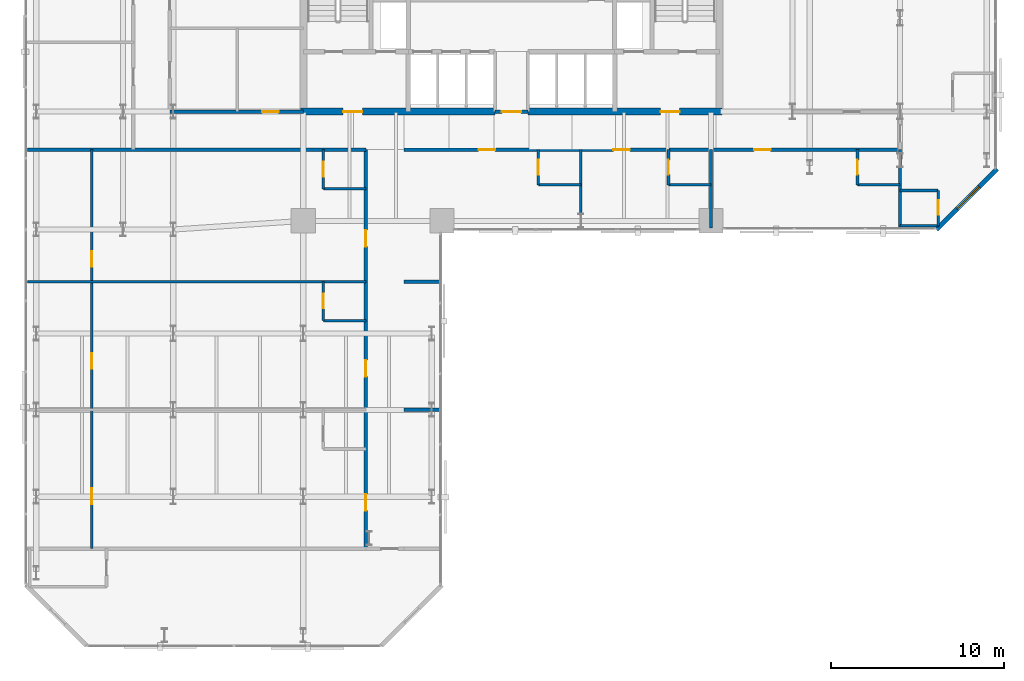
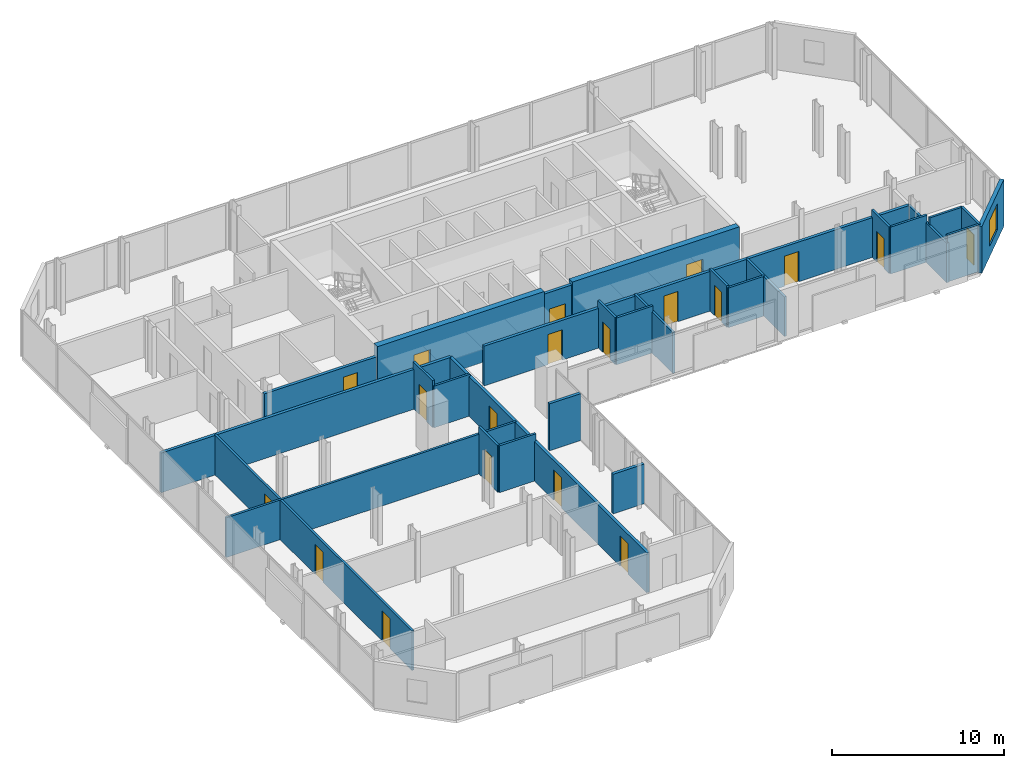
# One storey, part 29 of 33: 28 walls, 19 doors, 1 window, 20 openings.
"""IFC4 building model written with IfcOpenShell, lengths in metres."""

from ifc_helpers import new_model, si_unit, direction, frame, frame_2d, origin, place, context, subcontext, project, spatial, rectangle, extrude, material, layer, layer_set, type_object, element, fill, save


model = new_model("IFC4")

# Units and contexts
model_context = context("Model", 3, precision=1e-05, world=origin(), true_north=direction((0.0, 1.0)))
body_context = subcontext(model_context, "Body", "Model", "MODEL_VIEW")
ifc_project = project(units=[si_unit("LENGTHUNIT", "METRE"), si_unit("AREAUNIT", "SQUARE_METRE"), si_unit("VOLUMEUNIT", "CUBIC_METRE"), si_unit("PLANEANGLEUNIT", "RADIAN"), si_unit("MASSUNIT", "GRAM", prefix="KILO")], contexts=[model_context])

# Site, building, storey
site_placement = place(None, origin())
site = spatial("IfcSite", under=ifc_project, at=site_placement, CompositionType="ELEMENT")
building_placement = place(site_placement, origin())
building = spatial("IfcBuilding", under=site, at=building_placement, Name="Catumbela Crestline Tower", CompositionType="ELEMENT")
storey_placement = place(building_placement, frame((0.0, 0.0, 54.6)))
storey = spatial("IfcBuildingStorey", under=building, at=storey_placement, Name="L13", CompositionType="ELEMENT", Elevation=54.6)

# Wall, opening, door
ifc_material_1 = material(Name="Concrete C60/75", Category="concrete")
ifc_layer_1 = layer(ifc_material_1, 0.4, Name="Concrete C60/75")
ifc_layer_set_1 = layer_set([ifc_layer_1], Name="Concrete C60/75")
wall_type_1 = type_object("IfcWallType", Name="CW-400A", PredefinedType="SHEAR", material=ifc_layer_set_1)
wall_1_placement = place(storey_placement, frame((15.85, 30.8, 0.0), z_axis=(0.0, 0.0, 1.0), x_axis=(1.0, 0.0, 0.0)))
wall_1 = element("IfcWall", 1, at=wall_1_placement, inside=storey, type_object=wall_type_1, Name="L13 Structural Core Shear Wall SW", PredefinedType="SHEAR", context=body_context, shape_type="SweptSolid", body=[
    extrude(rectangle(XDim=11.2, YDim=0.4, at=frame_2d((5.6, 0.0))), origin(), (0.0, 0.0, 1.0), 3.6),
])
opening_1_placement = place(wall_1_placement, frame((2.45, 0.0, 0.0)))
opening_1 = element("IfcOpeningElement", 2, at=opening_1_placement, cuts=wall_1, Name="Opening DF9-110", PredefinedType="OPENING", context=body_context, shape_type="SweptSolid", body=[
    extrude(rectangle(XDim=1.1, YDim=2.15, at=frame_2d((0.55, 1.075))), frame((0.0, 0.21, 0.0), z_axis=(0.0, -1.0, 0.0), x_axis=(1.0, 0.0, 0.0)), (0.0, 0.0, 1.0), 0.42),
])
ifc_material_2 = material(Name="Stainless steel EN 1.4401", Category="steel")
door_type_1 = type_object("IfcDoorType", Name="DF9-110", OperationType="NOTDEFINED", PredefinedType="DOOR", material=ifc_material_2)
door_1_placement = place(opening_1_placement, origin())
door_1 = element("IfcDoor", 3, at=door_1_placement, inside=storey, type_object=door_type_1, Name="L13 Interior Door DR-L13-FFW-S", OperationType="SINGLE_SWING_LEFT", OverallHeight=2.15, OverallWidth=1.1, PredefinedType="DOOR", context=body_context, shape_type="SweptSolid", body=[
    extrude(rectangle(XDim=1.1, YDim=2.15, at=frame_2d((0.55, 1.075))), frame((0.0, 0.025, 0.0), z_axis=(0.0, -1.0, 0.0), x_axis=(1.0, 0.0, 0.0)), (0.0, 0.0, 1.0), 0.05),
])
fill(opening_1, door_1)

wall_2_placement = place(storey_placement, frame((28.95, 30.8, 0.0), z_axis=(0.0, 0.0, 1.0), x_axis=(1.0, 0.0, 0.0)))
wall_2 = element("IfcWall", 4, at=wall_2_placement, inside=storey, type_object=wall_type_1, Name="L13 Structural Core Shear Wall SE", PredefinedType="SHEAR", context=body_context, shape_type="SweptSolid", body=[
    extrude(rectangle(XDim=11.2, YDim=0.4, at=frame_2d((5.6, 0.0))), origin(), (0.0, 0.0, 1.0), 3.6),
])
opening_2_placement = place(wall_2_placement, frame((7.65, 0.0, 0.0)))
opening_2 = element("IfcOpeningElement", 5, at=opening_2_placement, cuts=wall_2, Name="Opening DF9-110", PredefinedType="OPENING", context=body_context, shape_type="SweptSolid", body=[
    extrude(rectangle(XDim=1.1, YDim=2.15, at=frame_2d((0.55, 1.075))), frame((0.0, 0.21, 0.0), z_axis=(0.0, -1.0, 0.0), x_axis=(1.0, 0.0, 0.0)), (0.0, 0.0, 1.0), 0.42),
])
door_2_placement = place(opening_2_placement, origin())
door_2 = element("IfcDoor", 6, at=door_2_placement, inside=storey, type_object=door_type_1, Name="L13 Interior Door DR-L13-FFE-S", OperationType="SINGLE_SWING_RIGHT", OverallHeight=2.15, OverallWidth=1.1, PredefinedType="DOOR", context=body_context, shape_type="SweptSolid", body=[
    extrude(rectangle(XDim=1.1, YDim=2.15, at=frame_2d((0.55, 1.075))), frame((0.0, 0.025, 0.0), z_axis=(0.0, -1.0, 0.0), x_axis=(1.0, 0.0, 0.0)), (0.0, 0.0, 1.0), 0.05),
])
fill(opening_2, door_2)

ifc_material_3 = material(Name="Acoustic gypsum and mineral-wool partition")
ifc_layer_2 = layer(ifc_material_3, 0.2, Name="Acoustic gypsum and mineral-wool partition")
ifc_layer_set_2 = layer_set([ifc_layer_2], Name="Acoustic gypsum and mineral-wool partition")
wall_type_2 = type_object("IfcWallType", Name="WC-200", PredefinedType="PARTITIONING", material=ifc_layer_set_2)
wall_3_placement = place(storey_placement, frame((27.05, 30.8, 0.0), z_axis=(0.0, 0.0, 1.0), x_axis=(1.0, 0.0, 0.0)))
wall_3 = element("IfcWall", 7, at=wall_3_placement, inside=storey, type_object=wall_type_2, Name="L13 Interior Partition PW-L13-CLOBS", PredefinedType="PARTITIONING", context=body_context, shape_type="SweptSolid", body=[
    extrude(rectangle(XDim=1.9, YDim=0.2, at=frame_2d((0.95, 0.0))), origin(), (0.0, 0.0, 1.0), 3.33),
])
opening_3_placement = place(wall_3_placement, frame((0.4, 0.0, 0.0)))
opening_3 = element("IfcOpeningElement", 8, at=opening_3_placement, cuts=wall_3, Name="Opening DF9-110", PredefinedType="OPENING", context=body_context, shape_type="SweptSolid", body=[
    extrude(rectangle(XDim=1.1, YDim=2.15, at=frame_2d((0.55, 1.075))), frame((0.0, 0.11, 0.0), z_axis=(0.0, -1.0, 0.0), x_axis=(1.0, 0.0, 0.0)), (0.0, 0.0, 1.0), 0.22),
])
door_3_placement = place(opening_3_placement, origin())
door_3 = element("IfcDoor", 9, at=door_3_placement, inside=storey, type_object=door_type_1, Name="L13 Interior Door DR-L13-CLOBS", OperationType="SINGLE_SWING_LEFT", OverallHeight=2.15, OverallWidth=1.1, PredefinedType="DOOR", context=body_context, shape_type="SweptSolid", body=[
    extrude(rectangle(XDim=1.1, YDim=2.15, at=frame_2d((0.55, 1.075))), frame((0.0, 0.025, 0.0), z_axis=(0.0, -1.0, 0.0), x_axis=(1.0, 0.0, 0.0)), (0.0, 0.0, 1.0), 0.05),
])
fill(opening_3, door_3)

# Wall
wall_4_placement = place(storey_placement, frame((0.1, 28.6, 0.0), z_axis=(0.0, 0.0, 1.0), x_axis=(1.0, 0.0, 0.0)))
element("IfcWall", 10, at=wall_4_placement, inside=storey, type_object=wall_type_2, Name="L13 Interior Partition PW-L13-CWGL-N", PredefinedType="PARTITIONING", context=body_context, shape_type="SweptSolid", body=[
    extrude(rectangle(XDim=19.5, YDim=0.2, at=frame_2d((9.75, 0.0))), origin(), (0.0, 0.0, 1.0), 2.82),
])

# Wall, openings, doors
wall_5_placement = place(storey_placement, frame((21.8, 28.6, 0.0), z_axis=(0.0, 0.0, 1.0), x_axis=(1.0, 0.0, 0.0)))
wall_5 = element("IfcWall", 11, at=wall_5_placement, inside=storey, type_object=wall_type_2, Name="L13 Interior Partition PW-L13-CWGR-N", PredefinedType="PARTITIONING", context=body_context, shape_type="SweptSolid", body=[
    extrude(rectangle(XDim=28.6, YDim=0.2, at=frame_2d((14.3, 0.0))), origin(), (0.0, 0.0, 1.0), 2.82),
])
opening_4_placement = place(wall_5_placement, frame((4.3, 0.0, 0.0)))
opening_4 = element("IfcOpeningElement", 12, at=opening_4_placement, cuts=wall_5, Name="Opening DF6-095", PredefinedType="OPENING", context=body_context, shape_type="SweptSolid", body=[
    extrude(rectangle(XDim=0.95, YDim=2.15, at=frame_2d((0.475, 1.075))), frame((0.0, 0.11, 0.0), z_axis=(0.0, -1.0, 0.0), x_axis=(1.0, 0.0, 0.0)), (0.0, 0.0, 1.0), 0.22),
])
opening_5_placement = place(wall_5_placement, frame((12.075, 0.0, 0.0)))
opening_5 = element("IfcOpeningElement", 13, at=opening_5_placement, cuts=wall_5, Name="Opening DF6-095", PredefinedType="OPENING", context=body_context, shape_type="SweptSolid", body=[
    extrude(rectangle(XDim=0.95, YDim=2.15, at=frame_2d((0.475, 1.075))), frame((0.0, 0.11, 0.0), z_axis=(0.0, -1.0, 0.0), x_axis=(1.0, 0.0, 0.0)), (0.0, 0.0, 1.0), 0.22),
])
opening_6_placement = place(wall_5_placement, frame((20.1859, 0.0, 0.0)))
opening_6 = element("IfcOpeningElement", 14, at=opening_6_placement, cuts=wall_5, Name="Opening DF6-095", PredefinedType="OPENING", context=body_context, shape_type="SweptSolid", body=[
    extrude(rectangle(XDim=0.95, YDim=2.15, at=frame_2d((0.475, 1.075))), frame((0.0, 0.11, 0.0), z_axis=(0.0, -1.0, 0.0), x_axis=(1.0, 0.0, 0.0)), (0.0, 0.0, 1.0), 0.22),
])
ifc_material_4 = material(Name="Aluminium alloy AW-6060-T66", Category="aluminium")
door_type_2 = type_object("IfcDoorType", Name="DF6-095", OperationType="NOTDEFINED", PredefinedType="DOOR", material=ifc_material_4)
door_4_placement = place(opening_4_placement, origin())
door_4 = element("IfcDoor", 15, at=door_4_placement, inside=storey, type_object=door_type_2, Name="L13 Interior Door DR-L13-K1-ENT", OperationType="SINGLE_SWING_LEFT", OverallHeight=2.15, OverallWidth=0.95, PredefinedType="DOOR", context=body_context, shape_type="SweptSolid", body=[
    extrude(rectangle(XDim=0.95, YDim=2.15, at=frame_2d((0.475, 1.075))), frame((0.0, 0.025, 0.0), z_axis=(0.0, -1.0, 0.0), x_axis=(1.0, 0.0, 0.0)), (0.0, 0.0, 1.0), 0.05),
])
fill(opening_4, door_4)
door_5_placement = place(opening_5_placement, origin())
door_5 = element("IfcDoor", 16, at=door_5_placement, inside=storey, type_object=door_type_2, Name="L13 Interior Door DR-L13-K2-ENT", OperationType="SINGLE_SWING_RIGHT", OverallHeight=2.15, OverallWidth=0.95, PredefinedType="DOOR", context=body_context, shape_type="SweptSolid", body=[
    extrude(rectangle(XDim=0.95, YDim=2.15, at=frame_2d((0.475, 1.075))), frame((0.0, 0.025, 0.0), z_axis=(0.0, -1.0, 0.0), x_axis=(1.0, 0.0, 0.0)), (0.0, 0.0, 1.0), 0.05),
])
fill(opening_5, door_5)
door_6_placement = place(opening_6_placement, origin())
door_6 = element("IfcDoor", 17, at=door_6_placement, inside=storey, type_object=door_type_2, Name="L13 Interior Door DR-L13-K3-ENT", OperationType="SINGLE_SWING_LEFT", OverallHeight=2.15, OverallWidth=0.95, PredefinedType="DOOR", context=body_context, shape_type="SweptSolid", body=[
    extrude(rectangle(XDim=0.95, YDim=2.15, at=frame_2d((0.475, 1.075))), frame((0.0, 0.025, 0.0), z_axis=(0.0, -1.0, 0.0), x_axis=(1.0, 0.0, 0.0)), (0.0, 0.0, 1.0), 0.05),
])
fill(opening_6, door_6)

# Wall, opening, door
wall_6_placement = place(storey_placement, frame((8.3, 30.8, 0.0), z_axis=(0.0, 0.0, 1.0), x_axis=(1.0, 0.0, 0.0)))
wall_6 = element("IfcWall", 18, at=wall_6_placement, inside=storey, type_object=wall_type_2, Name="L13 Interior Partition PW-L13-HK-S", PredefinedType="PARTITIONING", context=body_context, shape_type="SweptSolid", body=[
    extrude(rectangle(XDim=7.7, YDim=0.2, at=frame_2d((3.85, 0.0))), origin(), (0.0, 0.0, 1.0), 2.82),
])
opening_7_placement = place(wall_6_placement, frame((5.325, 0.0, 0.0)))
opening_7 = element("IfcOpeningElement", 19, at=opening_7_placement, cuts=wall_6, Name="Opening DF6-095", PredefinedType="OPENING", context=body_context, shape_type="SweptSolid", body=[
    extrude(rectangle(XDim=0.95, YDim=2.15, at=frame_2d((0.475, 1.075))), frame((0.0, 0.11, 0.0), z_axis=(0.0, -1.0, 0.0), x_axis=(1.0, 0.0, 0.0)), (0.0, 0.0, 1.0), 0.22),
])
door_7_placement = place(opening_7_placement, origin())
door_7 = element("IfcDoor", 20, at=door_7_placement, inside=storey, type_object=door_type_2, Name="L13 Interior Door DR-L13-HKP", OperationType="SINGLE_SWING_LEFT", OverallHeight=2.15, OverallWidth=0.95, PredefinedType="DOOR", context=body_context, shape_type="SweptSolid", body=[
    extrude(rectangle(XDim=0.95, YDim=2.15, at=frame_2d((0.475, 1.075))), frame((0.0, 0.025, 0.0), z_axis=(0.0, -1.0, 0.0), x_axis=(1.0, 0.0, 0.0)), (0.0, 0.0, 1.0), 0.05),
])
fill(opening_7, door_7)

# Wall, openings, doors
wall_7_placement = place(storey_placement, frame((19.6, 5.6, 0.0), z_axis=(0.0, 0.0, 1.0), x_axis=(0.0, 1.0, 0.0)))
wall_7 = element("IfcWall", 21, at=wall_7_placement, inside=storey, type_object=wall_type_2, Name="L13 Interior Partition PW-L13-WL1-ENT", PredefinedType="PARTITIONING", context=body_context, shape_type="SweptSolid", body=[
    extrude(rectangle(XDim=23.0, YDim=0.2, at=frame_2d((11.5, 0.0))), origin(), (0.0, 0.0, 1.0), 2.82),
])
opening_8_placement = place(wall_7_placement, frame((2.19, 0.0, 0.0)))
opening_8 = element("IfcOpeningElement", 22, at=opening_8_placement, cuts=wall_7, Name="Opening DF6-095", PredefinedType="OPENING", context=body_context, shape_type="SweptSolid", body=[
    extrude(rectangle(XDim=0.95, YDim=2.15, at=frame_2d((0.475, 1.075))), frame((0.0, 0.11, 0.0), z_axis=(0.0, -1.0, 0.0), x_axis=(1.0, 0.0, 0.0)), (0.0, 0.0, 1.0), 0.22),
])
opening_9_placement = place(wall_7_placement, frame((9.92, 0.0, 0.0)))
opening_9 = element("IfcOpeningElement", 23, at=opening_9_placement, cuts=wall_7, Name="Opening DF6-095", PredefinedType="OPENING", context=body_context, shape_type="SweptSolid", body=[
    extrude(rectangle(XDim=0.95, YDim=2.15, at=frame_2d((0.475, 1.075))), frame((0.0, 0.11, 0.0), z_axis=(0.0, -1.0, 0.0), x_axis=(1.0, 0.0, 0.0)), (0.0, 0.0, 1.0), 0.22),
])
opening_10_placement = place(wall_7_placement, frame((17.41, 0.0, 0.0)))
opening_10 = element("IfcOpeningElement", 24, at=opening_10_placement, cuts=wall_7, Name="Opening DF6-095", PredefinedType="OPENING", context=body_context, shape_type="SweptSolid", body=[
    extrude(rectangle(XDim=0.95, YDim=2.15, at=frame_2d((0.475, 1.075))), frame((0.0, 0.11, 0.0), z_axis=(0.0, -1.0, 0.0), x_axis=(1.0, 0.0, 0.0)), (0.0, 0.0, 1.0), 0.22),
])
door_8_placement = place(opening_8_placement, origin())
door_8 = element("IfcDoor", 25, at=door_8_placement, inside=storey, type_object=door_type_2, Name="L13 Interior Door DR-L13-WL1-ENT", OperationType="SINGLE_SWING_LEFT", OverallHeight=2.15, OverallWidth=0.95, PredefinedType="DOOR", context=body_context, shape_type="SweptSolid", body=[
    extrude(rectangle(XDim=0.95, YDim=2.15, at=frame_2d((0.475, 1.075))), frame((0.0, 0.025, 0.0), z_axis=(0.0, -1.0, 0.0), x_axis=(1.0, 0.0, 0.0)), (0.0, 0.0, 1.0), 0.05),
])
fill(opening_8, door_8)
door_9_placement = place(opening_9_placement, origin())
door_9 = element("IfcDoor", 26, at=door_9_placement, inside=storey, type_object=door_type_2, Name="L13 Interior Door DR-L13-WL2-ENT", OperationType="SINGLE_SWING_RIGHT", OverallHeight=2.15, OverallWidth=0.95, PredefinedType="DOOR", context=body_context, shape_type="SweptSolid", body=[
    extrude(rectangle(XDim=0.95, YDim=2.15, at=frame_2d((0.475, 1.075))), frame((0.0, 0.025, 0.0), z_axis=(0.0, -1.0, 0.0), x_axis=(1.0, 0.0, 0.0)), (0.0, 0.0, 1.0), 0.05),
])
fill(opening_9, door_9)
door_10_placement = place(opening_10_placement, origin())
door_10 = element("IfcDoor", 27, at=door_10_placement, inside=storey, type_object=door_type_2, Name="L13 Interior Door DR-L13-WL3-ENT", OperationType="SINGLE_SWING_LEFT", OverallHeight=2.15, OverallWidth=0.95, PredefinedType="DOOR", context=body_context, shape_type="SweptSolid", body=[
    extrude(rectangle(XDim=0.95, YDim=2.15, at=frame_2d((0.475, 1.075))), frame((0.0, 0.025, 0.0), z_axis=(0.0, -1.0, 0.0), x_axis=(1.0, 0.0, 0.0)), (0.0, 0.0, 1.0), 0.05),
])
fill(opening_10, door_10)

# Wall, opening, window
ifc_material_5 = material(Name="Angolan grey-ochre granite", Category="masonry")
ifc_layer_3 = layer(ifc_material_5, 0.25, Name="Angolan grey-ochre granite")
ifc_layer_set_3 = layer_set([ifc_layer_3], Name="Angolan grey-ochre granite")
wall_type_3 = type_object("IfcWallType", Name="WE-250", PredefinedType="STANDARD", material=ifc_layer_set_3)
wall_8_placement = place(storey_placement, frame((52.5, 24.0, 0.0), z_axis=(0.0, 0.0, 1.0), x_axis=(0.707106781187, 0.707106781187, 0.0)))
wall_8 = element("IfcWall", 28, at=wall_8_placement, inside=storey, type_object=wall_type_3, Name="L13 Granite Punched Window Wall 4-1", PredefinedType="STANDARD", context=body_context, shape_type="SweptSolid", body=[
    extrude(rectangle(XDim=4.9497, YDim=0.25, at=frame_2d((2.4748, 0.0))), origin(), (0.0, 0.0, 1.0), 3.33),
])
opening_11_placement = place(wall_8_placement, frame((1.6851, 0.0, 0.75)))
opening_11 = element("IfcOpeningElement", 29, at=opening_11_placement, cuts=wall_8, Name="Opening WN-01", PredefinedType="OPENING", context=body_context, shape_type="SweptSolid", body=[
    extrude(rectangle(XDim=1.8, YDim=1.85, at=frame_2d((0.9, 0.925))), frame((0.0, 0.135, 0.0), z_axis=(0.0, -1.0, 0.0), x_axis=(1.0, 0.0, 0.0)), (0.0, 0.0, 1.0), 0.27),
])
ifc_material_6 = material(Name="Low-E laminated solar-control double glazing", Category="glass")
window_type = type_object("IfcWindowType", Name="WF-1800", PartitioningType="SINGLE_PANEL", PredefinedType="WINDOW", material=ifc_material_6)
window_placement = place(opening_11_placement, origin())
window = element("IfcWindow", 30, at=window_placement, inside=storey, type_object=window_type, Name="L13 Facade Vision Window 89", OverallHeight=1.85, OverallWidth=1.8, PartitioningType="SINGLE_PANEL", PredefinedType="WINDOW", context=body_context, shape_type="SweptSolid", body=[
    extrude(rectangle(XDim=1.8, YDim=1.85, at=frame_2d((0.9, 0.925))), frame((0.0, 0.03, 0.0), z_axis=(0.0, -1.0, 0.0), x_axis=(1.0, 0.0, 0.0)), (0.0, 0.0, 1.0), 0.06),
])
fill(opening_11, window)

# Wall
ifc_layer_4 = layer(ifc_material_3, 0.15, Name="Acoustic gypsum and mineral-wool partition")
ifc_layer_set_4 = layer_set([ifc_layer_4], Name="Acoustic gypsum and mineral-wool partition")
wall_type_4 = type_object("IfcWallType", Name="WP-150", PredefinedType="PARTITIONING", material=ifc_layer_set_4)
wall_9_placement = place(storey_placement, frame((29.55, 26.576, 0.0), z_axis=(0.0, 0.0, 1.0), x_axis=(1.0, 0.0, 0.0)))
element("IfcWall", 31, at=wall_9_placement, inside=storey, type_object=wall_type_4, Name="L13 Interior Partition PW-L13-K1-BHW", PredefinedType="PARTITIONING", context=body_context, shape_type="SweptSolid", body=[
    extrude(rectangle(XDim=2.45, YDim=0.15, at=frame_2d((1.225, 0.0))), origin(), (0.0, 0.0, 1.0), 3.33),
])

# Wall, opening, door
wall_10_placement = place(storey_placement, frame((29.55, 26.576, 0.0), z_axis=(0.0, 0.0, 1.0), x_axis=(0.0, 1.0, 0.0)))
wall_10 = element("IfcWall", 32, at=wall_10_placement, inside=storey, type_object=wall_type_4, Name="L13 Interior Partition PW-L13-K1-BWW", PredefinedType="PARTITIONING", context=body_context, shape_type="SweptSolid", body=[
    extrude(rectangle(XDim=2.024, YDim=0.15, at=frame_2d((1.012, 0.0))), origin(), (0.0, 0.0, 1.0), 3.33),
])
opening_12_placement = place(wall_10_placement, frame((0.587, 0.0, 0.0)))
opening_12 = element("IfcOpeningElement", 33, at=opening_12_placement, cuts=wall_10, Name="Opening DI-085", PredefinedType="OPENING", context=body_context, shape_type="SweptSolid", body=[
    extrude(rectangle(XDim=0.85, YDim=2.15, at=frame_2d((0.425, 1.075))), frame((0.0, 0.085, 0.0), z_axis=(0.0, -1.0, 0.0), x_axis=(1.0, 0.0, 0.0)), (0.0, 0.0, 1.0), 0.17),
])
door_type_3 = type_object("IfcDoorType", Name="DI-085", OperationType="NOTDEFINED", PredefinedType="DOOR", material=ifc_material_4)
door_11_placement = place(opening_12_placement, origin())
door_11 = element("IfcDoor", 34, at=door_11_placement, inside=storey, type_object=door_type_3, Name="L13 Interior Door DR-L13-K1-BTH", OperationType="SINGLE_SWING_RIGHT", OverallHeight=2.15, OverallWidth=0.85, PredefinedType="DOOR", context=body_context, shape_type="SweptSolid", body=[
    extrude(rectangle(XDim=0.85, YDim=2.15, at=frame_2d((0.425, 1.075))), frame((0.0, 0.025, 0.0), z_axis=(0.0, -1.0, 0.0), x_axis=(1.0, 0.0, 0.0)), (0.0, 0.0, 1.0), 0.05),
])
fill(opening_12, door_11)

# Walls
wall_11_placement = place(storey_placement, frame((32.0, 28.6, 0.0), z_axis=(0.0, 0.0, 1.0), x_axis=(0.0, -1.0, 0.0)))
element("IfcWall", 35, at=wall_11_placement, inside=storey, type_object=wall_type_4, Name="L13 Interior Partition PW-L13-K1-BCL-2", PredefinedType="PARTITIONING", context=body_context, shape_type="SweptSolid", body=[
    extrude(rectangle(XDim=4.5, YDim=0.15, at=frame_2d((2.25, 0.0))), origin(), (0.0, 0.0, 1.0), 2.93),
])
wall_12_placement = place(storey_placement, frame((37.05, 26.576, 0.0), z_axis=(0.0, 0.0, 1.0), x_axis=(1.0, 0.0, 0.0)))
element("IfcWall", 36, at=wall_12_placement, inside=storey, type_object=wall_type_4, Name="L13 Interior Partition PW-L13-K2-BHW", PredefinedType="PARTITIONING", context=body_context, shape_type="SweptSolid", body=[
    extrude(rectangle(XDim=2.45, YDim=0.15, at=frame_2d((1.225, 0.0))), origin(), (0.0, 0.0, 1.0), 2.82),
])

# Wall, opening, door
wall_13_placement = place(storey_placement, frame((37.05, 26.576, 0.0), z_axis=(0.0, 0.0, 1.0), x_axis=(0.0, 1.0, 0.0)))
wall_13 = element("IfcWall", 37, at=wall_13_placement, inside=storey, type_object=wall_type_4, Name="L13 Interior Partition PW-L13-K2-BWW", PredefinedType="PARTITIONING", context=body_context, shape_type="SweptSolid", body=[
    extrude(rectangle(XDim=2.024, YDim=0.15, at=frame_2d((1.012, 0.0))), origin(), (0.0, 0.0, 1.0), 2.96),
])
opening_13_placement = place(wall_13_placement, frame((0.587, 0.0, 0.0)))
opening_13 = element("IfcOpeningElement", 38, at=opening_13_placement, cuts=wall_13, Name="Opening DI-085", PredefinedType="OPENING", context=body_context, shape_type="SweptSolid", body=[
    extrude(rectangle(XDim=0.85, YDim=2.15, at=frame_2d((0.425, 1.075))), frame((0.0, 0.085, 0.0), z_axis=(0.0, -1.0, 0.0), x_axis=(1.0, 0.0, 0.0)), (0.0, 0.0, 1.0), 0.17),
])
door_12_placement = place(opening_13_placement, origin())
door_12 = element("IfcDoor", 39, at=door_12_placement, inside=storey, type_object=door_type_3, Name="L13 Interior Door DR-L13-K2-BTH", OperationType="SINGLE_SWING_RIGHT", OverallHeight=2.15, OverallWidth=0.85, PredefinedType="DOOR", context=body_context, shape_type="SweptSolid", body=[
    extrude(rectangle(XDim=0.85, YDim=2.15, at=frame_2d((0.425, 1.075))), frame((0.0, 0.025, 0.0), z_axis=(0.0, -1.0, 0.0), x_axis=(1.0, 0.0, 0.0)), (0.0, 0.0, 1.0), 0.05),
])
fill(opening_13, door_12)

# Walls
wall_14_placement = place(storey_placement, frame((39.5, 28.6, 0.0), z_axis=(0.0, 0.0, 1.0), x_axis=(0.0, -1.0, 0.0)))
element("IfcWall", 40, at=wall_14_placement, inside=storey, type_object=wall_type_4, Name="L13 Interior Partition PW-L13-K2-BCL-2", PredefinedType="PARTITIONING", context=body_context, shape_type="SweptSolid", body=[
    extrude(rectangle(XDim=4.5, YDim=0.15, at=frame_2d((2.25, 0.0))), origin(), (0.0, 0.0, 1.0), 2.82),
])
wall_15_placement = place(storey_placement, frame((47.95, 26.576, 0.0), z_axis=(0.0, 0.0, 1.0), x_axis=(1.0, 0.0, 0.0)))
element("IfcWall", 41, at=wall_15_placement, inside=storey, type_object=wall_type_4, Name="L13 Interior Partition PW-L13-K3-BHW", PredefinedType="PARTITIONING", context=body_context, shape_type="SweptSolid", body=[
    extrude(rectangle(XDim=2.45, YDim=0.15, at=frame_2d((1.225, 0.0))), origin(), (0.0, 0.0, 1.0), 3.33),
])

# Wall, opening, door
wall_16_placement = place(storey_placement, frame((47.95, 26.576, 0.0), z_axis=(0.0, 0.0, 1.0), x_axis=(0.0, 1.0, 0.0)))
wall_16 = element("IfcWall", 42, at=wall_16_placement, inside=storey, type_object=wall_type_4, Name="L13 Interior Partition PW-L13-K3-BWW", PredefinedType="PARTITIONING", context=body_context, shape_type="SweptSolid", body=[
    extrude(rectangle(XDim=2.024, YDim=0.15, at=frame_2d((1.012, 0.0))), origin(), (0.0, 0.0, 1.0), 3.33),
])
opening_14_placement = place(wall_16_placement, frame((0.587, 0.0, 0.0)))
opening_14 = element("IfcOpeningElement", 43, at=opening_14_placement, cuts=wall_16, Name="Opening DI-085", PredefinedType="OPENING", context=body_context, shape_type="SweptSolid", body=[
    extrude(rectangle(XDim=0.85, YDim=2.15, at=frame_2d((0.425, 1.075))), frame((0.0, 0.085, 0.0), z_axis=(0.0, -1.0, 0.0), x_axis=(1.0, 0.0, 0.0)), (0.0, 0.0, 1.0), 0.17),
])
door_13_placement = place(opening_14_placement, origin())
door_13 = element("IfcDoor", 44, at=door_13_placement, inside=storey, type_object=door_type_3, Name="L13 Interior Door DR-L13-K3-BTH", OperationType="SINGLE_SWING_RIGHT", OverallHeight=2.15, OverallWidth=0.85, PredefinedType="DOOR", context=body_context, shape_type="SweptSolid", body=[
    extrude(rectangle(XDim=0.85, YDim=2.15, at=frame_2d((0.425, 1.075))), frame((0.0, 0.025, 0.0), z_axis=(0.0, -1.0, 0.0), x_axis=(1.0, 0.0, 0.0)), (0.0, 0.0, 1.0), 0.05),
])
fill(opening_14, door_13)

# Walls
wall_17_placement = place(storey_placement, frame((50.4, 28.6, 0.0), z_axis=(0.0, 0.0, 1.0), x_axis=(0.0, -1.0, 0.0)))
element("IfcWall", 45, at=wall_17_placement, inside=storey, type_object=wall_type_4, Name="L13 Interior Partition PW-L13-K3-BCL-2", PredefinedType="PARTITIONING", context=body_context, shape_type="SweptSolid", body=[
    extrude(rectangle(XDim=4.5, YDim=0.15, at=frame_2d((2.25, 0.0))), origin(), (0.0, 0.0, 1.0), 2.82),
])
wall_18_placement = place(storey_placement, frame((50.4, 26.25, 0.0), z_axis=(0.0, 0.0, 1.0), x_axis=(1.0, 0.0, 0.0)))
element("IfcWall", 46, at=wall_18_placement, inside=storey, type_object=wall_type_4, Name="L13 Interior Partition PW-L13-NESE-BNW", PredefinedType="PARTITIONING", context=body_context, shape_type="SweptSolid", body=[
    extrude(rectangle(XDim=2.2, YDim=0.15, at=frame_2d((1.1, 0.0))), origin(), (0.0, 0.0, 1.0), 3.33),
])

# Wall, opening, door
wall_19_placement = place(storey_placement, frame((52.6, 24.2, 0.0), z_axis=(0.0, 0.0, 1.0), x_axis=(0.0, 1.0, 0.0)))
wall_19 = element("IfcWall", 47, at=wall_19_placement, inside=storey, type_object=wall_type_4, Name="L13 Interior Partition PW-L13-NESE-BEW", PredefinedType="PARTITIONING", context=body_context, shape_type="SweptSolid", body=[
    extrude(rectangle(XDim=2.05, YDim=0.15, at=frame_2d((1.025, 0.0))), origin(), (0.0, 0.0, 1.0), 3.33),
])
opening_15_placement = place(wall_19_placement, frame((0.6514, 0.0, 0.0)))
opening_15 = element("IfcOpeningElement", 48, at=opening_15_placement, cuts=wall_19, Name="Opening DI-085", PredefinedType="OPENING", context=body_context, shape_type="SweptSolid", body=[
    extrude(rectangle(XDim=0.85, YDim=2.15, at=frame_2d((0.425, 1.075))), frame((0.0, 0.085, 0.0), z_axis=(0.0, -1.0, 0.0), x_axis=(1.0, 0.0, 0.0)), (0.0, 0.0, 1.0), 0.17),
])
door_14_placement = place(opening_15_placement, origin())
door_14 = element("IfcDoor", 49, at=door_14_placement, inside=storey, type_object=door_type_3, Name="L13 Interior Door DR-L13-NESE-BTH", OperationType="SINGLE_SWING_LEFT", OverallHeight=2.15, OverallWidth=0.85, PredefinedType="DOOR", context=body_context, shape_type="SweptSolid", body=[
    extrude(rectangle(XDim=0.85, YDim=2.15, at=frame_2d((0.425, 1.075))), frame((0.0, 0.025, 0.0), z_axis=(0.0, -1.0, 0.0), x_axis=(1.0, 0.0, 0.0)), (0.0, 0.0, 1.0), 0.05),
])
fill(opening_15, door_14)

# Wall
wall_20_placement = place(storey_placement, frame((52.62, 24.22, 0.0), z_axis=(0.0, 0.0, 1.0), x_axis=(-1.0, 0.0, 0.0)))
element("IfcWall", 50, at=wall_20_placement, inside=storey, type_object=wall_type_4, Name="L13 Interior Partition PW-L13-NESE-BCL-3", PredefinedType="PARTITIONING", context=body_context, shape_type="SweptSolid", body=[
    extrude(rectangle(XDim=2.22, YDim=0.15, at=frame_2d((1.11, 0.0))), origin(), (0.0, 0.0, 1.0), 3.33),
])

# Wall, openings, doors
wall_21_placement = place(storey_placement, frame((3.8, 5.6, 0.0), z_axis=(0.0, 0.0, 1.0), x_axis=(0.0, 1.0, 0.0)))
wall_21 = element("IfcWall", 51, at=wall_21_placement, inside=storey, type_object=wall_type_4, Name="L13 Interior Partition PW-L13-WL1-SBD", PredefinedType="PARTITIONING", context=body_context, shape_type="SweptSolid", body=[
    extrude(rectangle(XDim=23.0, YDim=0.15, at=frame_2d((11.5, 0.0))), origin(), (0.0, 0.0, 1.0), 2.82),
])
opening_16_placement = place(wall_21_placement, frame((2.575, 0.0, 0.0)))
opening_16 = element("IfcOpeningElement", 52, at=opening_16_placement, cuts=wall_21, Name="Opening DI-090", PredefinedType="OPENING", context=body_context, shape_type="SweptSolid", body=[
    extrude(rectangle(XDim=0.9, YDim=2.15, at=frame_2d((0.45, 1.075))), frame((0.0, 0.085, 0.0), z_axis=(0.0, -1.0, 0.0), x_axis=(1.0, 0.0, 0.0)), (0.0, 0.0, 1.0), 0.17),
])
opening_17_placement = place(wall_21_placement, frame((10.365, 0.0, 0.0)))
opening_17 = element("IfcOpeningElement", 53, at=opening_17_placement, cuts=wall_21, Name="Opening DI-090", PredefinedType="OPENING", context=body_context, shape_type="SweptSolid", body=[
    extrude(rectangle(XDim=0.9, YDim=2.15, at=frame_2d((0.45, 1.075))), frame((0.0, 0.085, 0.0), z_axis=(0.0, -1.0, 0.0), x_axis=(1.0, 0.0, 0.0)), (0.0, 0.0, 1.0), 0.17),
])
opening_18_placement = place(wall_21_placement, frame((16.26, 0.0, 0.0)))
opening_18 = element("IfcOpeningElement", 54, at=opening_18_placement, cuts=wall_21, Name="Opening DI-090", PredefinedType="OPENING", context=body_context, shape_type="SweptSolid", body=[
    extrude(rectangle(XDim=0.9, YDim=2.15, at=frame_2d((0.45, 1.075))), frame((0.0, 0.085, 0.0), z_axis=(0.0, -1.0, 0.0), x_axis=(1.0, 0.0, 0.0)), (0.0, 0.0, 1.0), 0.17),
])
door_type_4 = type_object("IfcDoorType", Name="DI-090", OperationType="NOTDEFINED", PredefinedType="DOOR", material=ifc_material_4)
door_15_placement = place(opening_16_placement, origin())
door_15 = element("IfcDoor", 55, at=door_15_placement, inside=storey, type_object=door_type_4, Name="L13 Interior Door DR-L13-WL1-SBD", OperationType="SINGLE_SWING_LEFT", OverallHeight=2.15, OverallWidth=0.9, PredefinedType="DOOR", context=body_context, shape_type="SweptSolid", body=[
    extrude(rectangle(XDim=0.9, YDim=2.15, at=frame_2d((0.45, 1.075))), frame((0.0, 0.025, 0.0), z_axis=(0.0, -1.0, 0.0), x_axis=(1.0, 0.0, 0.0)), (0.0, 0.0, 1.0), 0.05),
])
fill(opening_16, door_15)
door_16_placement = place(opening_17_placement, origin())
door_16 = element("IfcDoor", 56, at=door_16_placement, inside=storey, type_object=door_type_4, Name="L13 Interior Door DR-L13-WL2-SBD", OperationType="SINGLE_SWING_LEFT", OverallHeight=2.15, OverallWidth=0.9, PredefinedType="DOOR", context=body_context, shape_type="SweptSolid", body=[
    extrude(rectangle(XDim=0.9, YDim=2.15, at=frame_2d((0.45, 1.075))), frame((0.0, 0.025, 0.0), z_axis=(0.0, -1.0, 0.0), x_axis=(1.0, 0.0, 0.0)), (0.0, 0.0, 1.0), 0.05),
])
fill(opening_17, door_16)
door_17_placement = place(opening_18_placement, origin())
door_17 = element("IfcDoor", 57, at=door_17_placement, inside=storey, type_object=door_type_4, Name="L13 Interior Door DR-L13-WL3-SBD", OperationType="SINGLE_SWING_LEFT", OverallHeight=2.15, OverallWidth=0.9, PredefinedType="DOOR", context=body_context, shape_type="SweptSolid", body=[
    extrude(rectangle(XDim=0.9, YDim=2.15, at=frame_2d((0.45, 1.075))), frame((0.0, 0.025, 0.0), z_axis=(0.0, -1.0, 0.0), x_axis=(1.0, 0.0, 0.0)), (0.0, 0.0, 1.0), 0.05),
])
fill(opening_18, door_17)

# Wall
wall_22_placement = place(storey_placement, frame((17.15, 18.75, 0.0), z_axis=(0.0, 0.0, 1.0), x_axis=(1.0, 0.0, 0.0)))
element("IfcWall", 58, at=wall_22_placement, inside=storey, type_object=wall_type_4, Name="L13 Interior Partition PW-L13-WL2-BSW", PredefinedType="PARTITIONING", context=body_context, shape_type="SweptSolid", body=[
    extrude(rectangle(XDim=2.45, YDim=0.15, at=frame_2d((1.225, 0.0))), origin(), (0.0, 0.0, 1.0), 3.33),
])

# Wall, opening, door
wall_23_placement = place(storey_placement, frame((17.15, 18.75, 0.0), z_axis=(0.0, 0.0, 1.0), x_axis=(0.0, 1.0, 0.0)))
wall_23 = element("IfcWall", 59, at=wall_23_placement, inside=storey, type_object=wall_type_4, Name="L13 Interior Partition PW-L13-WL2-BWW", PredefinedType="PARTITIONING", context=body_context, shape_type="SweptSolid", body=[
    extrude(rectangle(XDim=2.25, YDim=0.15, at=frame_2d((1.125, 0.0))), origin(), (0.0, 0.0, 1.0), 3.33),
])
opening_19_placement = place(wall_23_placement, frame((0.7, 0.0, 0.0)))
opening_19 = element("IfcOpeningElement", 60, at=opening_19_placement, cuts=wall_23, Name="Opening DI-085", PredefinedType="OPENING", context=body_context, shape_type="SweptSolid", body=[
    extrude(rectangle(XDim=0.85, YDim=2.15, at=frame_2d((0.425, 1.075))), frame((0.0, 0.085, 0.0), z_axis=(0.0, -1.0, 0.0), x_axis=(1.0, 0.0, 0.0)), (0.0, 0.0, 1.0), 0.17),
])
door_18_placement = place(opening_19_placement, origin())
door_18 = element("IfcDoor", 61, at=door_18_placement, inside=storey, type_object=door_type_3, Name="L13 Interior Door DR-L13-WL2-BTH", OperationType="SINGLE_SWING_RIGHT", OverallHeight=2.15, OverallWidth=0.85, PredefinedType="DOOR", context=body_context, shape_type="SweptSolid", body=[
    extrude(rectangle(XDim=0.85, YDim=2.15, at=frame_2d((0.425, 1.075))), frame((0.0, 0.025, 0.0), z_axis=(0.0, -1.0, 0.0), x_axis=(1.0, 0.0, 0.0)), (0.0, 0.0, 1.0), 0.05),
])
fill(opening_19, door_18)

# Walls
wall_24_placement = place(storey_placement, frame((0.1, 21.0, 0.0), z_axis=(0.0, 0.0, 1.0), x_axis=(1.0, 0.0, 0.0)))
element("IfcWall", 62, at=wall_24_placement, inside=storey, type_object=wall_type_4, Name="L13 Interior Partition PW-L13-WL2-BCL-1", PredefinedType="PARTITIONING", context=body_context, shape_type="SweptSolid", body=[
    extrude(rectangle(XDim=19.5, YDim=0.15, at=frame_2d((9.75, 0.0))), origin(), (0.0, 0.0, 1.0), 2.82),
])
wall_25_placement = place(storey_placement, frame((17.15, 26.35, 0.0), z_axis=(0.0, 0.0, 1.0), x_axis=(1.0, 0.0, 0.0)))
element("IfcWall", 63, at=wall_25_placement, inside=storey, type_object=wall_type_4, Name="L13 Interior Partition PW-L13-WL3-BSW", PredefinedType="PARTITIONING", context=body_context, shape_type="SweptSolid", body=[
    extrude(rectangle(XDim=2.45, YDim=0.15, at=frame_2d((1.225, 0.0))), origin(), (0.0, 0.0, 1.0), 2.96),
])

# Wall, opening, door
wall_26_placement = place(storey_placement, frame((17.15, 26.35, 0.0), z_axis=(0.0, 0.0, 1.0), x_axis=(0.0, 1.0, 0.0)))
wall_26 = element("IfcWall", 64, at=wall_26_placement, inside=storey, type_object=wall_type_4, Name="L13 Interior Partition PW-L13-WL3-BWW", PredefinedType="PARTITIONING", context=body_context, shape_type="SweptSolid", body=[
    extrude(rectangle(XDim=2.25, YDim=0.15, at=frame_2d((1.125, 0.0))), origin(), (0.0, 0.0, 1.0), 3.33),
])
opening_20_placement = place(wall_26_placement, frame((0.7, 0.0, 0.0)))
opening_20 = element("IfcOpeningElement", 65, at=opening_20_placement, cuts=wall_26, Name="Opening DI-085", PredefinedType="OPENING", context=body_context, shape_type="SweptSolid", body=[
    extrude(rectangle(XDim=0.85, YDim=2.15, at=frame_2d((0.425, 1.075))), frame((0.0, 0.085, 0.0), z_axis=(0.0, -1.0, 0.0), x_axis=(1.0, 0.0, 0.0)), (0.0, 0.0, 1.0), 0.17),
])
door_19_placement = place(opening_20_placement, origin())
door_19 = element("IfcDoor", 66, at=door_19_placement, inside=storey, type_object=door_type_3, Name="L13 Interior Door DR-L13-WL3-BTH", OperationType="SINGLE_SWING_RIGHT", OverallHeight=2.15, OverallWidth=0.85, PredefinedType="DOOR", context=body_context, shape_type="SweptSolid", body=[
    extrude(rectangle(XDim=0.85, YDim=2.15, at=frame_2d((0.425, 1.075))), frame((0.0, 0.025, 0.0), z_axis=(0.0, -1.0, 0.0), x_axis=(1.0, 0.0, 0.0)), (0.0, 0.0, 1.0), 0.05),
])
fill(opening_20, door_19)

# Walls
ifc_layer_5 = layer(ifc_material_3, 0.2, Name="Acoustic gypsum and mineral-wool partition")
ifc_layer_set_5 = layer_set([ifc_layer_5], Name="Acoustic gypsum and mineral-wool partition")
wall_type_5 = type_object("IfcWallType", Name="WY-200", PredefinedType="PARTITIONING", material=ifc_layer_set_5)
wall_27_placement = place(storey_placement, frame((21.8, 13.6, 0.0), z_axis=(0.0, 0.0, 1.0), x_axis=(1.0, 0.0, 0.0)))
element("IfcWall", 67, at=wall_27_placement, inside=storey, type_object=wall_type_5, Name="L13 Interior Partition PW-L13-WGRP-2", PredefinedType="PARTITIONING", context=body_context, shape_type="SweptSolid", body=[
    extrude(rectangle(XDim=2.1, YDim=0.2, at=frame_2d((1.05, 0.0))), origin(), (0.0, 0.0, 1.0), 2.82),
])
wall_28_placement = place(storey_placement, frame((21.8, 21.0, 0.0), z_axis=(0.0, 0.0, 1.0), x_axis=(1.0, 0.0, 0.0)))
element("IfcWall", 68, at=wall_28_placement, inside=storey, type_object=wall_type_5, Name="L13 Interior Partition PW-L13-WGRP-3", PredefinedType="PARTITIONING", context=body_context, shape_type="SweptSolid", body=[
    extrude(rectangle(XDim=2.1, YDim=0.2, at=frame_2d((1.05, 0.0))), origin(), (0.0, 0.0, 1.0), 3.33),
])

save(model, "model.ifc")
